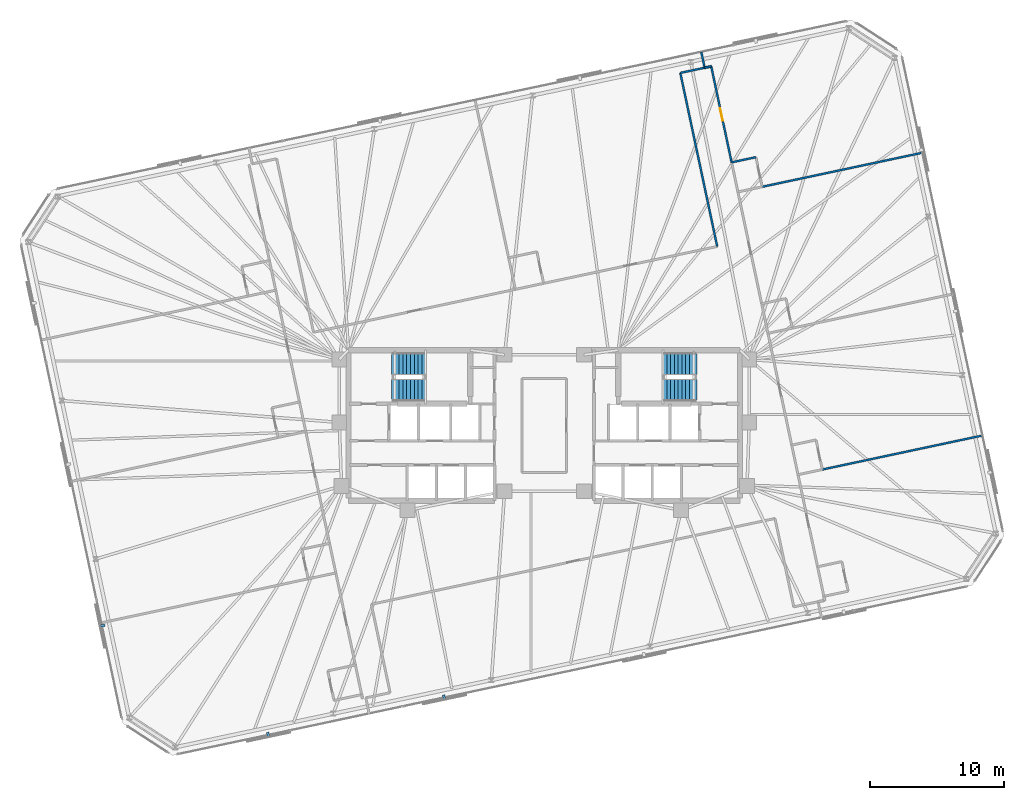
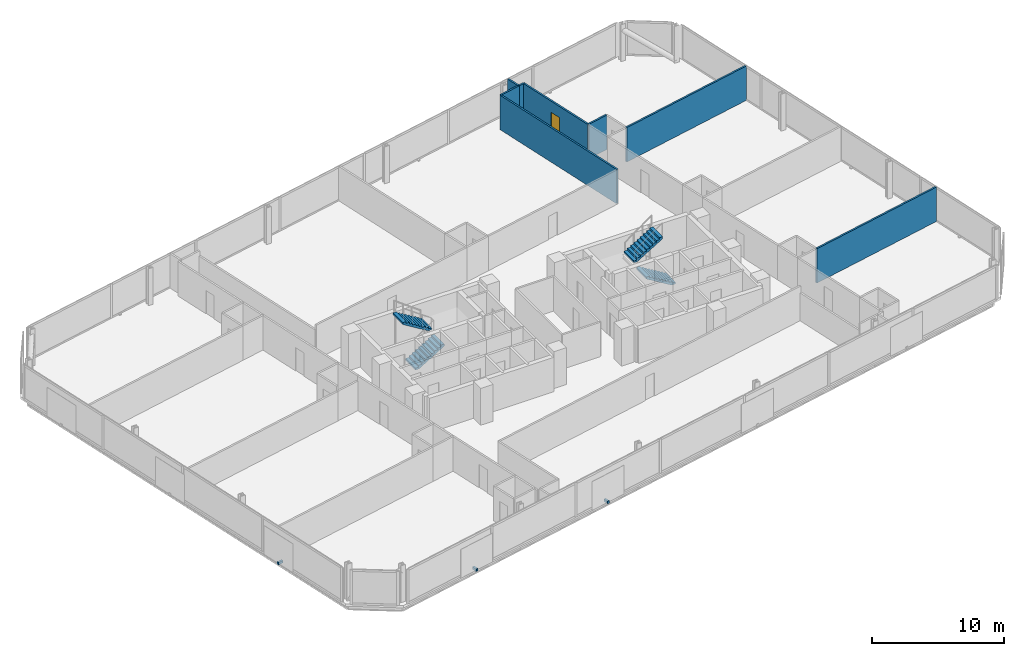
# One storey, part 17 of 19: 8 walls, 4 stair flights, 3 discrete accessories, 1 door, 1 opening, 2 elements without a shape of their own.
"""IFC4 building model written with IfcOpenShell, lengths in metres."""

import ifcopenshell
import ifcopenshell.guid

model = None  # the IFC model being written
_history = None  # IfcOwnerHistory: only IFC2X3 demands one
_inside = {}  # id of a spatial element -> (the spatial element, [elements in it])
_under = {}  # id of a project, library or spatial element -> (it, [spatial elements below it])
_declared = {}  # id of a project -> (the project, [libraries it declares])
_typed = {}  # id of a type object -> (the type object, [elements of that type])
_made_of = {}  # id of a material, layer set ... -> (it, [elements and type objects made of it])


def new_model(schema):
    """Start an empty IFC model of exactly this schema.

    Asked for "IFC4X3", IfcOpenShell would pick the latest addendum, in which some entities
    have other attributes; the version numbers below select the first issue.
    IFC2X3 requires an IfcOwnerHistory on every rooted entity: one is made here for all.
    """
    global model, _history
    if schema == "IFC4X3":
        model = ifcopenshell.file(schema_version=(4, 3, 0, 0))
    else:
        model = ifcopenshell.file(schema=schema)
    _inside.clear()
    _under.clear()
    _declared.clear()
    _typed.clear()
    _made_of.clear()
    _history = None
    if model.schema == "IFC2X3":
        org = make("IfcOrganization", Name="unknown")
        user = make(
            "IfcPersonAndOrganization",
            ThePerson=make("IfcPerson", FamilyName="unknown"),
            TheOrganization=org,
        )
        app = make(
            "IfcApplication",
            ApplicationDeveloper=org,
            Version="unknown",
            ApplicationFullName="unknown",
            ApplicationIdentifier="unknown",
        )
        _history = make(
            "IfcOwnerHistory",
            OwningUser=user,
            OwningApplication=app,
            ChangeAction="ADDED",
            CreationDate=0,
        )
    return model


def make(cls, **values):
    """One entity of the class cls with the attributes given. An attribute that is None is left unset."""
    return model.create_entity(
        cls, **{name: value for name, value in values.items() if value is not None}
    )


def rooted(cls, **values):
    """An entity with a GlobalId (a new one), such as an element, a storey or a relation."""
    return make(cls, GlobalId=ifcopenshell.guid.new(), OwnerHistory=_history, **values)


def si_unit(unit_type, name, prefix=None):
    """IfcSIUnit, for example si_unit("LENGTHUNIT", "METRE", prefix="MILLI")."""
    return make("IfcSIUnit", UnitType=unit_type, Prefix=prefix, Name=name)


def assignment(units):
    """IfcUnitAssignment: the units of a project."""
    return None if units is None else make("IfcUnitAssignment", Units=units)


def point(xyz):
    """IfcCartesianPoint."""
    return None if xyz is None else make("IfcCartesianPoint", Coordinates=xyz)


def direction(xyz):
    """IfcDirection."""
    return None if xyz is None else make("IfcDirection", DirectionRatios=xyz)


def frame(location, z_axis=None, x_axis=None):
    """IfcAxis2Placement3D, a coordinate frame: its origin and axes. An axis left out is left unset."""
    return make(
        "IfcAxis2Placement3D",
        Location=point(location),
        Axis=direction(z_axis),
        RefDirection=direction(x_axis),
    )


def frame_2d(location, x_axis=None):
    """IfcAxis2Placement2D, a coordinate frame in the plane: its origin and x axis."""
    return make(
        "IfcAxis2Placement2D", Location=point(location), RefDirection=direction(x_axis)
    )


def origin():
    """The frame at (0, 0, 0) with its axes left unset."""
    return frame((0.0, 0.0, 0.0))


def origin_2d():
    """The frame at (0, 0) in the plane with its x axis left unset."""
    return frame_2d((0.0, 0.0))


def place(relative_to, where):
    """IfcLocalPlacement: puts the frame where relative to a parent placement (None: the world)."""
    return make(
        "IfcLocalPlacement", PlacementRelTo=relative_to, RelativePlacement=where
    )


def context(
    kind, dimensions, precision=None, world=None, true_north=None, identifier=None
):
    """IfcGeometricRepresentationContext, for example the 3D "Model" context."""
    return make(
        "IfcGeometricRepresentationContext",
        ContextIdentifier=identifier,
        ContextType=kind,
        CoordinateSpaceDimension=dimensions,
        Precision=precision,
        WorldCoordinateSystem=world,
        TrueNorth=true_north,
    )


def subcontext(parent, identifier, kind, view, scale=None):
    """IfcGeometricRepresentationSubContext, for example "Body" below "Model"."""
    return make(
        "IfcGeometricRepresentationSubContext",
        ContextIdentifier=identifier,
        ContextType=kind,
        ParentContext=parent,
        TargetScale=scale,
        TargetView=view,
    )


def project(units=None, contexts=None):
    """IfcProject with its units and contexts."""
    return rooted(
        "IfcProject",
        Name="project",
        RepresentationContexts=contexts,
        UnitsInContext=assignment(units),
    )


def spatial(cls, under=None, at=None, **own):
    """A site, building, storey or space (cls), placed at a placement, below another one or the project."""
    s = rooted(cls, ObjectPlacement=at, **own)
    if under is not None:
        _under.setdefault(under.id(), (under, []))[1].append(s)
    return s


def polyline(points):
    """IfcPolyline through the points."""
    return make("IfcPolyline", Points=[point(p) for p in points])


def profile(cls, at=None, kind="AREA", **sizes):
    """A parametric profile (cls). Its sizes go by their IFC names, for example OverallWidth=200.0."""
    return make(cls, ProfileType=kind, Position=at, **sizes)


def rectangle(**sizes):
    """IfcRectangleProfileDef."""
    return profile("IfcRectangleProfileDef", **sizes)


def outline(outer, holes=None, kind="AREA"):
    """IfcArbitraryClosedProfileDef: a profile drawn as a closed curve; with holes, ...WithVoids."""
    if holes is None:
        return make("IfcArbitraryClosedProfileDef", ProfileType=kind, OuterCurve=outer)
    return make(
        "IfcArbitraryProfileDefWithVoids",
        ProfileType=kind,
        OuterCurve=outer,
        InnerCurves=holes,
    )


def extrude(swept, where, along, depth):
    """IfcExtrudedAreaSolid: the profile swept, set in the frame where, extruded along a direction by depth."""
    return make(
        "IfcExtrudedAreaSolid",
        SweptArea=swept,
        Position=where,
        ExtrudedDirection=direction(along),
        Depth=depth,
    )


def shape(context_of_items, identifier, shape_type, items):
    """IfcShapeRepresentation: the items that make up one representation, for example the "Body"."""
    return make(
        "IfcShapeRepresentation",
        ContextOfItems=context_of_items,
        RepresentationIdentifier=identifier,
        RepresentationType=shape_type,
        Items=items,
    )


def material(Name=None, Category=None):
    """IfcMaterial."""
    return make("IfcMaterial", Name=Name, Category=Category)


def layer(
    of_material, thickness, ventilated=None, Name=None, Category=None, Priority=None
):
    """IfcMaterialLayer: one layer of a wall or slab, of a material (None: an air gap)."""
    return make(
        "IfcMaterialLayer",
        Material=of_material,
        LayerThickness=thickness,
        IsVentilated=ventilated,
        Name=Name,
        Category=Category,
        Priority=Priority,
    )


def layer_set(layers, Name=None):
    """IfcMaterialLayerSet."""
    return make("IfcMaterialLayerSet", MaterialLayers=layers, LayerSetName=Name)


def made_of(thing, what):
    """Note that an element or type object is made of a material, layer set ...; save() writes the relation."""
    if what is not None:
        _made_of.setdefault(what.id(), (what, []))[1].append(thing)
    return thing


def type_object(cls, material=None, **own):
    """A type object (cls), such as IfcWallType, which elements share."""
    return made_of(rooted(cls, **own), material)


def element(
    cls,
    number,
    at=None,
    inside=None,
    cuts=None,
    type_object=None,
    material=None,
    context=None,
    identifier="Body",
    shape_type=None,
    held_by="IfcProductDefinitionShape",
    body=None,
    shapes=None,
    **own,
):
    """One element of the class cls, such as IfcWall. Its Tag is "e" and its number.

    at: its placement. inside: the storey or other place that contains it. cuts: it is an
    opening in that element (IfcRelVoidsElement). A single representation is given by context,
    identifier, shape_type and body (its items); several are given by shapes. held_by: the class
    of the entity that holds the representations. save() writes the other relations.
    """
    e = rooted(cls, Tag="e%d" % number, ObjectPlacement=at, **own)
    if body is not None:
        shapes = [shape(context, identifier, shape_type, body)]
    if shapes is not None:
        e.Representation = make(held_by, Representations=shapes)
    if inside is not None:
        _inside.setdefault(inside.id(), (inside, []))[1].append(e)
    if cuts is not None:
        rooted(
            "IfcRelVoidsElement", RelatingBuildingElement=cuts, RelatedOpeningElement=e
        )
    if type_object is not None:
        _typed.setdefault(type_object.id(), (type_object, []))[1].append(e)
    return made_of(e, material)


def fill(opening, filler):
    """IfcRelFillsElement: the door or window that sits in an opening."""
    return rooted(
        "IfcRelFillsElement",
        RelatingOpeningElement=opening,
        RelatedBuildingElement=filler,
    )


def aggregate(whole, parts):
    """IfcRelAggregates: a whole, such as a stair, and the parts it consists of."""
    return rooted("IfcRelAggregates", RelatingObject=whole, RelatedObjects=parts)


def save(model, path):
    """Write the relations noted so far, then the file.

    IfcRelAggregates (storeys below a building ...), IfcRelContainedInSpatialStructure (elements
    in a storey), IfcRelDefinesByType, IfcRelAssociatesMaterial and IfcRelDeclares: one each for
    every whole, place, type object, material and project.
    """
    for whole, parts in _under.values():
        aggregate(whole, parts)
    for where, things in _inside.values():
        rooted(
            "IfcRelContainedInSpatialStructure",
            RelatedElements=things,
            RelatingStructure=where,
        )
    for kind, things in _typed.values():
        rooted("IfcRelDefinesByType", RelatedObjects=things, RelatingType=kind)
    for what, things in _made_of.values():
        rooted("IfcRelAssociatesMaterial", RelatedObjects=things, RelatingMaterial=what)
    for by, libraries in _declared.values():
        rooted("IfcRelDeclares", RelatingContext=by, RelatedDefinitions=libraries)
    model.write(path)


model = new_model("IFC4")

# Units and contexts
model_context = context("Model", 3, precision=1e-05, world=origin(), true_north=direction((0.0, 1.0)))
body_context = subcontext(model_context, "Body", "Model", "MODEL_VIEW")
ifc_project = project(units=[si_unit("LENGTHUNIT", "METRE"), si_unit("AREAUNIT", "SQUARE_METRE"), si_unit("VOLUMEUNIT", "CUBIC_METRE"), si_unit("PLANEANGLEUNIT", "RADIAN"), si_unit("MASSUNIT", "GRAM", prefix="KILO")], contexts=[model_context])

# Site, building, storey
site_placement = place(None, origin())
site = spatial("IfcSite", under=ifc_project, at=site_placement, CompositionType="ELEMENT")
building_placement = place(site_placement, origin())
building = spatial("IfcBuilding", under=site, at=building_placement, Name="Menara Jurai Vektor", CompositionType="ELEMENT")
storey_placement = place(building_placement, frame((0.0, 0.0, 171.800048828125)))
storey = spatial("IfcBuildingStorey", under=building, at=storey_placement, Name="L44", CompositionType="ELEMENT", Elevation=171.800048828125)

# Walls
ifc_material_1 = material(Name="Gypsum Fireboard Partition", Category="gypsum")
ifc_layer = layer(ifc_material_1, 0.14990234375)
ifc_layer_set = layer_set([ifc_layer], Name="Gypsum Fireboard Partition")
wall_type = type_object("IfcWallType", Name="INT-WALL-CORR-150", PredefinedType="PARTITIONING", material=ifc_layer_set)
wall_1_placement = place(storey_placement, frame((12.86181640625, 13.3076171875, 0.0), z_axis=(0.0, 0.0, 1.0), x_axis=(-0.207911421929, 0.978147657888, 0.0)))
element("IfcWall", 1, at=wall_1_placement, inside=storey, type_object=wall_type, Name="Interior Wall IW-150 L44", PredefinedType="PARTITIONING", context=body_context, shape_type="SweptSolid", body=[
    extrude(rectangle(XDim=13.195068359375, YDim=0.14990234375, at=frame_2d((6.59765625, 0.0))), origin(), (0.0, 0.0, 1.0), 3.175048828125),
])
wall_2_placement = place(storey_placement, frame((10.118408203125, 26.21435546875, 0.0), z_axis=(0.0, 0.0, 1.0), x_axis=(0.978133353907, 0.20797870558, 0.0)))
element("IfcWall", 2, at=wall_2_placement, inside=storey, type_object=wall_type, Name="Interior Wall IW-150 L44", PredefinedType="PARTITIONING", context=body_context, shape_type="SweptSolid", body=[
    extrude(rectangle(XDim=1.85009765625, YDim=0.14990234375, at=frame_2d((0.925048828125, 0.0))), origin(), (0.0, 0.0, 1.0), 3.175048828125),
])
wall_3_placement = place(storey_placement, frame((11.927978515625, 26.59912109375, 0.0), z_axis=(0.0, 0.0, 1.0), x_axis=(0.97822210712, 0.207560856478, 0.0)))
element("IfcWall", 3, at=wall_3_placement, inside=storey, type_object=wall_type, Name="Interior Wall IW-150 L44", PredefinedType="PARTITIONING", context=body_context, shape_type="SweptSolid", body=[
    extrude(rectangle(XDim=0.5, YDim=0.14990234375, at=frame_2d((0.25, 0.0))), origin(), (0.0, 0.0, 1.0), 3.175048828125),
])

# Wall, opening, door
wall_4_placement = place(storey_placement, frame((13.934814453125, 19.5625, 0.0), z_axis=(0.0, 0.0, 1.0), x_axis=(-0.207923154003, 0.978145164088, 0.0)))
wall_4 = element("IfcWall", 4, at=wall_4_placement, inside=storey, type_object=wall_type, Name="Interior Wall IW-150 L44", PredefinedType="PARTITIONING", context=body_context, shape_type="SweptSolid", body=[
    extrude(rectangle(XDim=7.2998046875, YDim=0.14990234375, at=frame_2d((3.64990234375, 0.0))), origin(), (0.0, 0.0, 1.0), 3.175048828125),
])
opening_placement = place(wall_4_placement, frame((3.175048828125, 0.0, 0.0)))
opening = element("IfcOpeningElement", 5, at=opening_placement, cuts=wall_4, Name="Opening D44-25", PredefinedType="OPENING", context=body_context, shape_type="SweptSolid", body=[
    extrude(rectangle(XDim=0.949951171875, YDim=2.14990234375, at=frame_2d((0.47509765625, 1.074951171875))), frame((0.0, 0.0849609375, 0.0), z_axis=(0.0, -1.0, 0.0), x_axis=(1.0, 0.0, 0.0)), (0.0, 0.0, 1.0), 0.169921875),
])
ifc_material_2 = material(Name="Solid Core Timber Fire Door", Category="wood")
door_type = type_object("IfcDoorType", Name="DR-ENTRY-950", OperationType="NOTDEFINED", PredefinedType="DOOR", material=ifc_material_2)
door_placement = place(opening_placement, origin())
door = element("IfcDoor", 6, at=door_placement, inside=storey, type_object=door_type, Name="Interior Door D44-25", OperationType="SINGLE_SWING_RIGHT", OverallHeight=2.14990234375, OverallWidth=0.949951171875, PredefinedType="DOOR", context=body_context, shape_type="SweptSolid", body=[
    extrude(rectangle(XDim=0.949951171875, YDim=2.14990234375, at=frame_2d((0.47509765625, 1.074951171875))), frame((0.0, 0.02490234375, 0.0), z_axis=(0.0, -1.0, 0.0), x_axis=(1.0, 0.0, 0.0)), (0.0, 0.0, 1.0), 0.050048828125),
])
fill(opening, door)

# Walls
wall_5_placement = place(storey_placement, frame((11.927978515625, 26.59912109375, 0.0), z_axis=(0.0, 0.0, 1.0), x_axis=(-0.20795853359, 0.978137642823, 0.0)))
element("IfcWall", 7, at=wall_5_placement, inside=storey, type_object=wall_type, Name="Interior Wall IW-150 L44", PredefinedType="PARTITIONING", context=body_context, shape_type="SweptSolid", body=[
    extrude(rectangle(XDim=1.19970703125, YDim=0.14990234375, at=frame_2d((0.599853515625, 0.0))), origin(), (0.0, 0.0, 1.0), 3.175048828125),
])
for number, where, z_axis, x_axis, name in (
    (8, (20.682373046875, -3.283935546875, 0.0), (0.0, 0.0, 1.0), (0.97814556055, 0.207921288896, 0.0), "Interior Wall IW-150 L44"),
    (9, (16.212158203125, 17.746337890625, 0.0), (0.0, 0.0, 1.0), (0.978149634612, 0.207902121941, 0.0), "Interior Wall IW-150 L44"),
):
    element("IfcWall", number, at=place(storey_placement, frame(where, z_axis=z_axis, x_axis=x_axis)), inside=storey, type_object=wall_type, Name=name, PredefinedType="PARTITIONING", context=body_context, shape_type="SweptSolid", body=[
        extrude(rectangle(XDim=12.18701171875, YDim=0.14990234375, at=frame_2d((6.093505859375, 0.0))), origin(), (0.0, 0.0, 1.0), 3.175048828125),
    ])
wall_6_placement = place(storey_placement, frame((13.934814453125, 19.5625, 0.0), z_axis=(0.0, 0.0, 1.0), x_axis=(0.978160192495, 0.207852442415, 0.0)))
element("IfcWall", 10, at=wall_6_placement, inside=storey, type_object=wall_type, Name="Interior Wall IW-150 L44", PredefinedType="PARTITIONING", context=body_context, shape_type="SweptSolid", body=[
    extrude(rectangle(XDim=1.849853515625, YDim=0.14990234375, at=frame_2d((0.9248046875, 0.0))), origin(), (0.0, 0.0, 1.0), 3.175048828125),
])

# Stair, stair flights
ifc_material_3 = material(Name="Concrete C40/50", Category="concrete")
stair_type = type_object("IfcStairType", Name="STAIR-DOGLEG-1500", PredefinedType="HALF_TURN_STAIR", material=ifc_material_3)
stair_1_placement = place(storey_placement, origin())
stair_1 = element("IfcStair", 11, at=stair_1_placement, inside=storey, type_object=stair_type, Name="Protected Exit Stair ST1 L44", PredefinedType="HALF_TURN_STAIR")
stair_flight_type = type_object("IfcStairFlightType", Name="STAIR-FLIGHT-1500", PredefinedType="STRAIGHT", material=ifc_material_3)
stair_flight_1_placement = place(storey_placement, frame((-11.35009765625, 2.64990234375, 0.0), z_axis=(0.0, 0.0, 1.0), x_axis=(1.0, 0.0, 0.0)))
stair_flight_1 = element("IfcStairFlight", 12, at=stair_flight_1_placement, type_object=stair_flight_type, Name="ST1 flight 1", NumberOfRisers=10, NumberOfTreads=9, PredefinedType="STRAIGHT", RiserHeight=0.17, TreadLength=0.28, context=body_context, shape_type="SweptSolid", body=[
    extrude(outline(polyline([(0.0, 0.0), (0.0, 0.169921875), (0.280029296875, 0.169921875), (0.280029296875, 0.340087890625), (0.56005859375, 0.340087890625), (0.56005859375, 0.510009765625), (0.840087890625, 0.510009765625), (0.840087890625, 0.679931640625), (1.1201171875, 0.679931640625), (1.1201171875, 0.85009765625), (1.39990234375, 0.85009765625), (1.39990234375, 1.02001953125), (1.679931640625, 1.02001953125), (1.679931640625, 1.18994140625), (1.9599609375, 1.18994140625), (1.9599609375, 1.360107421875), (2.239990234375, 1.360107421875), (2.239990234375, 1.530029296875), (2.52001953125, 1.530029296875), (2.52001953125, 1.699951171875), (2.52001953125, 1.343017578125), (0.30810546875, 0.0), (0.0, 0.0)])), frame((0.0, 0.75, 0.0), z_axis=(0.0, -1.0, 0.0), x_axis=(1.0, 0.0, 0.0)), (0.0, 0.0, 1.0), 1.5),
])
stair_flight_2_placement = place(storey_placement, frame((-8.830078125, 4.550048828125, 1.699951171875), z_axis=(0.0, 0.0, 1.0), x_axis=(-1.0, 0.0, 0.0)))
stair_flight_2 = element("IfcStairFlight", 13, at=stair_flight_2_placement, type_object=stair_flight_type, Name="ST1 flight 2", NumberOfRisers=10, NumberOfTreads=9, PredefinedType="STRAIGHT", RiserHeight=0.17, TreadLength=0.28, context=body_context, shape_type="SweptSolid", body=[
    extrude(outline(polyline([(0.0, 0.0), (0.0, 0.169921875), (0.280029296875, 0.169921875), (0.280029296875, 0.340087890625), (0.56005859375, 0.340087890625), (0.56005859375, 0.510009765625), (0.840087890625, 0.510009765625), (0.840087890625, 0.679931640625), (1.1201171875, 0.679931640625), (1.1201171875, 0.85009765625), (1.39990234375, 0.85009765625), (1.39990234375, 1.02001953125), (1.679931640625, 1.02001953125), (1.679931640625, 1.18994140625), (1.9599609375, 1.18994140625), (1.9599609375, 1.360107421875), (2.239990234375, 1.360107421875), (2.239990234375, 1.530029296875), (2.52001953125, 1.530029296875), (2.52001953125, 1.699951171875), (2.52001953125, 1.343017578125), (0.30810546875, 0.0), (0.0, 0.0)])), frame((0.0, 0.75, 0.0), z_axis=(0.0, -1.0, 0.0), x_axis=(1.0, 0.0, 0.0)), (0.0, 0.0, 1.0), 1.5),
])
aggregate(stair_1, [stair_flight_1, stair_flight_2])

stair_2_placement = place(storey_placement, origin())
stair_2 = element("IfcStair", 14, at=stair_2_placement, inside=storey, type_object=stair_type, Name="Protected Exit Stair ST2 L44", PredefinedType="HALF_TURN_STAIR")
stair_flight_3_placement = place(storey_placement, frame((11.35009765625, 2.64990234375, 0.0), z_axis=(0.0, 0.0, 1.0), x_axis=(-1.0, 0.0, 0.0)))
stair_flight_3 = element("IfcStairFlight", 15, at=stair_flight_3_placement, type_object=stair_flight_type, Name="ST2 flight 1", NumberOfRisers=10, NumberOfTreads=9, PredefinedType="STRAIGHT", RiserHeight=0.17, TreadLength=0.28, context=body_context, shape_type="SweptSolid", body=[
    extrude(outline(polyline([(0.0, 0.0), (0.0, 0.169921875), (0.280029296875, 0.169921875), (0.280029296875, 0.340087890625), (0.56005859375, 0.340087890625), (0.56005859375, 0.510009765625), (0.840087890625, 0.510009765625), (0.840087890625, 0.679931640625), (1.1201171875, 0.679931640625), (1.1201171875, 0.85009765625), (1.39990234375, 0.85009765625), (1.39990234375, 1.02001953125), (1.679931640625, 1.02001953125), (1.679931640625, 1.18994140625), (1.9599609375, 1.18994140625), (1.9599609375, 1.360107421875), (2.239990234375, 1.360107421875), (2.239990234375, 1.530029296875), (2.52001953125, 1.530029296875), (2.52001953125, 1.699951171875), (2.52001953125, 1.343017578125), (0.30810546875, 0.0), (0.0, 0.0)])), frame((0.0, 0.75, 0.0), z_axis=(0.0, -1.0, 0.0), x_axis=(1.0, 0.0, 0.0)), (0.0, 0.0, 1.0), 1.5),
])
stair_flight_4_placement = place(storey_placement, frame((8.830078125, 4.550048828125, 1.699951171875), z_axis=(0.0, 0.0, 1.0), x_axis=(1.0, 0.0, 0.0)))
stair_flight_4 = element("IfcStairFlight", 16, at=stair_flight_4_placement, type_object=stair_flight_type, Name="ST2 flight 2", NumberOfRisers=10, NumberOfTreads=9, PredefinedType="STRAIGHT", RiserHeight=0.17, TreadLength=0.28, context=body_context, shape_type="SweptSolid", body=[
    extrude(outline(polyline([(0.0, 0.0), (0.0, 0.169921875), (0.280029296875, 0.169921875), (0.280029296875, 0.340087890625), (0.56005859375, 0.340087890625), (0.56005859375, 0.510009765625), (0.840087890625, 0.510009765625), (0.840087890625, 0.679931640625), (1.1201171875, 0.679931640625), (1.1201171875, 0.85009765625), (1.39990234375, 0.85009765625), (1.39990234375, 1.02001953125), (1.679931640625, 1.02001953125), (1.679931640625, 1.18994140625), (1.9599609375, 1.18994140625), (1.9599609375, 1.360107421875), (2.239990234375, 1.360107421875), (2.239990234375, 1.530029296875), (2.52001953125, 1.530029296875), (2.52001953125, 1.699951171875), (2.52001953125, 1.343017578125), (0.30810546875, 0.0), (0.0, 0.0)])), frame((0.0, 0.75, 0.0), z_axis=(0.0, -1.0, 0.0), x_axis=(1.0, 0.0, 0.0)), (0.0, 0.0, 1.0), 1.5),
])
aggregate(stair_2, [stair_flight_3, stair_flight_4])

# Discrete accessories
ifc_material_4 = material(Name="Steel S355", Category="steel")
discrete_accessory_type = type_object("IfcDiscreteAccessoryType", Name="ENV-ACC-BRACKET", PredefinedType="BRACKET", material=ifc_material_4)
for number, where, z_axis, x_axis, name in (
    (17, (-20.527099609375, -23.043701171875, -0.1298828125), (0.0, 0.0, 1.0), (0.978147600734, 0.207911690818, 0.0), "Solar Screen Stand-Off Bracket L44-S01"),
    (18, (-7.443115234375, -20.262451171875, -0.1298828125), (0.0, 0.0, 1.0), (0.978147600734, 0.207911690818, 0.0), "Solar Screen Stand-Off Bracket L44-S02"),
    (19, (-32.895263671875, -14.906005859375, -0.1298828125), (0.0, 0.0, 1.0), (0.207911690818, -0.978147600734, 0.0), "Solar Screen Stand-Off Bracket L44-S14"),
):
    element("IfcDiscreteAccessory", number, at=place(storey_placement, frame(where, z_axis=z_axis, x_axis=x_axis)), inside=storey, type_object=discrete_accessory_type, Name=name, PredefinedType="BRACKET", context=body_context, shape_type="SweptSolid", body=[
        extrude(rectangle(XDim=0.179931640625, YDim=0.43994140625, at=origin_2d()), origin(), (0.0, 0.0, 1.0), 0.219970703125),
    ])

save(model, "model.ifc")
